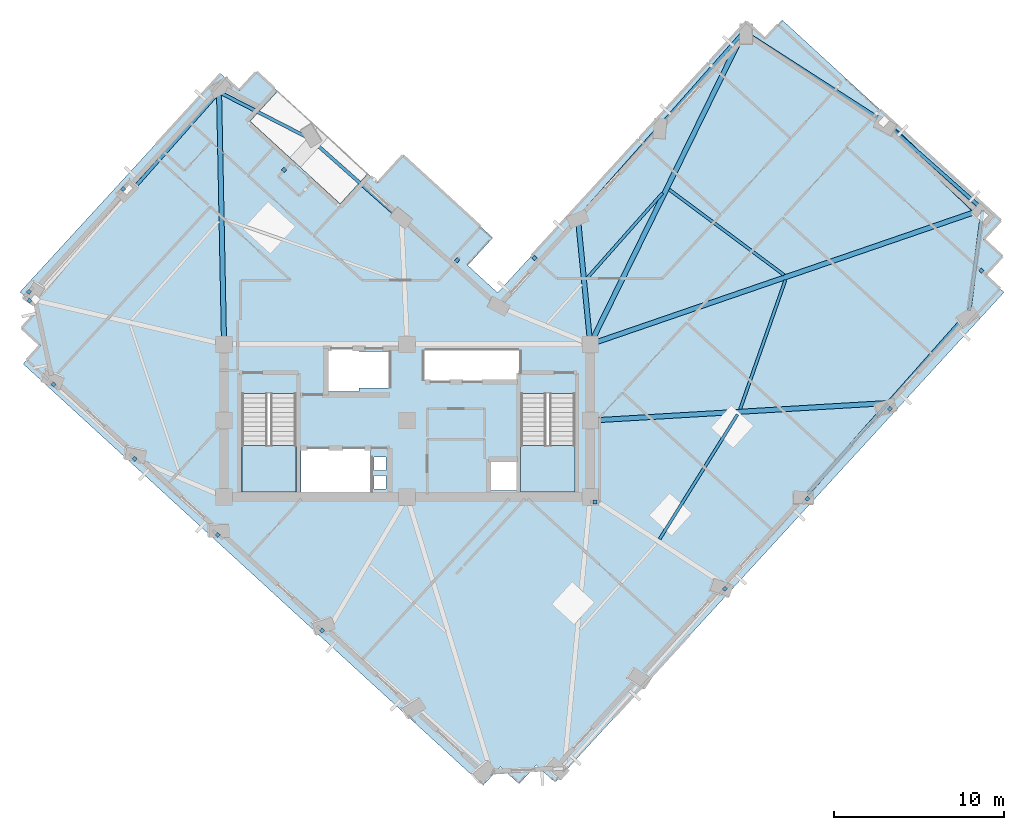
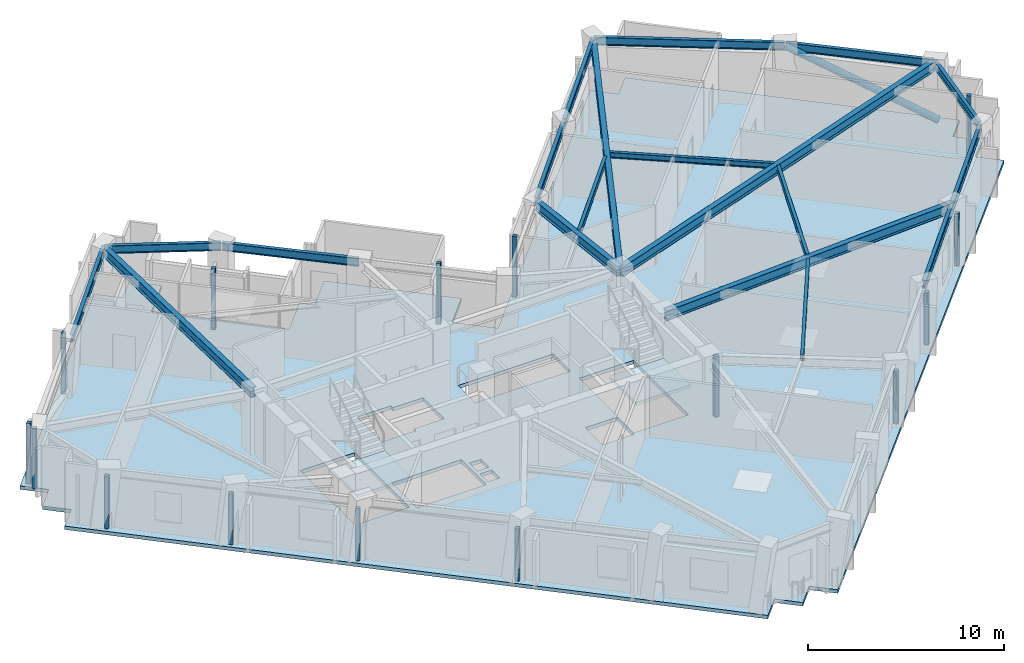
# One storey, part 2 of 12: 19 beams, 15 plates, 3 slabs, 1 member, 2 elements without a shape of their own.
"""IFC4 building model written with IfcOpenShell, lengths in metres."""

from ifc_helpers import new_model, si_unit, direction, frame, origin, origin_2d, place, context, subcontext, project, spatial, polyline, rectangle, hollow_circle, i_section, outline, extrude, material, layer, layer_set, material_profile, profile_set, type_object, element, aggregate, save


model = new_model("IFC4")

# Units and contexts
model_context = context("Model", 3, precision=1e-05, world=origin(), true_north=direction((0.0, 1.0)))
body_context = subcontext(model_context, "Body", "Model", "MODEL_VIEW")
ifc_project = project(units=[si_unit("LENGTHUNIT", "METRE"), si_unit("AREAUNIT", "SQUARE_METRE"), si_unit("VOLUMEUNIT", "CUBIC_METRE"), si_unit("PLANEANGLEUNIT", "RADIAN"), si_unit("MASSUNIT", "GRAM", prefix="KILO")], contexts=[model_context])

# Site, building, storey
site_placement = place(None, origin())
site = spatial("IfcSite", under=ifc_project, at=site_placement, CompositionType="ELEMENT")
building_placement = place(site_placement, origin())
building = spatial("IfcBuilding", under=site, at=building_placement, Name="Gaonmaruhae Medical Tower", CompositionType="ELEMENT")
storey_placement = place(building_placement, frame((0.0, 0.0, 227.199951171875)))
storey = spatial("IfcBuildingStorey", under=building, at=storey_placement, Name="L54", CompositionType="ELEMENT", Elevation=227.199951171875)

# Beams
ifc_material_1 = material(Name="Steel SM355", Category="steel")
ifc_material_profile_1 = material_profile(ifc_material_1, i_section(OverallWidth=0.175048828125, OverallDepth=0.35009765625, WebThickness=0.007080078125, FlangeThickness=0.010986328125, FilletRadius=0.012939453125, at=origin_2d()), Name="H-350x175x7x11")
ifc_profile_set_1 = profile_set([ifc_material_profile_1], Name="Steel SM355")
beam_type_1 = type_object("IfcBeamType", Name="FJ-02 Upper Zone Ward Floor Joist (H-350x175x7x11)", PredefinedType="JOIST", material=ifc_profile_set_1)
beam_1_placement = place(storey_placement, frame((39.692138671875, 5.3115234375, 3.60498046875), z_axis=(0.530118005418, 0.847923876496, 0.0), x_axis=(-0.847923876496, 0.530118005418, 0.0)))
element("IfcBeam", 1, at=beam_1_placement, inside=storey, type_object=beam_type_1, Name="L54 Secondary Floor Joist FJ02", PredefinedType="JOIST", context=body_context, shape_type="SweptSolid", body=[
    extrude(i_section(OverallWidth=0.175048828125, OverallDepth=0.35009765625, WebThickness=0.007080078125, FlangeThickness=0.010986328125, FilletRadius=0.012939453125, at=origin_2d()), origin(), (0.0, 0.0, 1.0), 8.662353515625),
])
beam_2_placement = place(storey_placement, frame((44.440673828125, 12.9765625, 3.60498046875), z_axis=(0.330765418883, 0.943713005988, 0.0), x_axis=(-0.943713005988, 0.330765418883, 0.0)))
element("IfcBeam", 2, at=beam_2_placement, inside=storey, type_object=beam_type_1, Name="L54 Secondary Floor Joist FJ03", PredefinedType="JOIST", context=body_context, shape_type="SweptSolid", body=[
    extrude(i_section(OverallWidth=0.175048828125, OverallDepth=0.35009765625, WebThickness=0.007080078125, FlangeThickness=0.010986328125, FilletRadius=0.012939453125, at=origin_2d()), origin(), (0.0, 0.0, 1.0), 8.070556640625),
])
beam_3_placement = place(storey_placement, frame((47.024658203125, 20.890869140625, 3.60498046875), z_axis=(-0.802293173668, 0.596930199844, 0.0), x_axis=(-0.596930199844, -0.802293173668, 0.0)))
element("IfcBeam", 3, at=beam_3_placement, inside=storey, type_object=beam_type_1, Name="L54 Secondary Floor Joist FJ04", PredefinedType="JOIST", context=body_context, shape_type="SweptSolid", body=[
    extrude(i_section(OverallWidth=0.175048828125, OverallDepth=0.35009765625, WebThickness=0.007080078125, FlangeThickness=0.010986328125, FilletRadius=0.012939453125, at=origin_2d()), origin(), (0.0, 0.0, 1.0), 8.435791015625),
])
beam_4_placement = place(storey_placement, frame((39.86376953125, 25.721435546875, 3.60498046875), z_axis=(-0.663287759279, -0.748364448908, 0.0), x_axis=(0.748364448908, -0.663287759279, 0.0)))
element("IfcBeam", 4, at=beam_4_placement, inside=storey, type_object=beam_type_1, Name="L54 Secondary Floor Joist FJ05", PredefinedType="JOIST", context=body_context, shape_type="SweptSolid", body=[
    extrude(i_section(OverallWidth=0.175048828125, OverallDepth=0.35009765625, WebThickness=0.007080078125, FlangeThickness=0.010986328125, FilletRadius=0.012939453125, at=origin_2d()), origin(), (0.0, 0.0, 1.0), 6.763671875),
])

# Member
ifc_material_2 = material(Name="Steel SM420", Category="steel")
ifc_material_profile_2 = material_profile(ifc_material_2, hollow_circle(Radius=0.203125, WallThickness=0.0126953125, at=origin_2d()), Name="CHS-406.4x12.7")
ifc_profile_set_2 = profile_set([ifc_material_profile_2], Name="Steel SM420")
member_type = type_object("IfcMemberType", Name="PB-02 Perimeter Solid-Bay Tube Brace Mid (CHS-406.4x12.7)", PredefinedType="BRACE", material=ifc_profile_set_2)
member_placement = place(storey_placement, frame((58.746337890625, 24.3408203125, 0.25), z_axis=(-0.668944039213, 0.64111453371, 0.376146284134), x_axis=(-0.691929645496, -0.721964933833, 0.0)))
element("IfcMember", 5, at=member_placement, inside=storey, type_object=member_type, Name="L54 Perimeter Tube Solid-Bay Brace E01-E02", PredefinedType="BRACE", context=body_context, shape_type="SweptSolid", body=[
    extrude(hollow_circle(Radius=0.203125, WallThickness=0.0126953125, at=origin_2d()), origin(), (0.0, 0.0, 1.0), 8.719970703125),
])

# Beams
ifc_material_profile_3 = material_profile(ifc_material_2, i_section(OverallWidth=0.300048828125, OverallDepth=0.60009765625, WebThickness=0.011962890625, FlangeThickness=0.02001953125, FilletRadius=0.012939453125, at=origin_2d()), Name="H-600x300x12x20")
ifc_profile_set_3 = profile_set([ifc_material_profile_3], Name="Steel SM420")
beam_type_2 = type_object("IfcBeamType", Name="PG-04 Zone 4 Radial Floor Girder (H-600x300x12x20)", PredefinedType="BEAM", material=ifc_profile_set_3)
beam_5_placement = place(storey_placement, frame((35.64990234375, 12.302978515625, 3.47998046875), z_axis=(0.998269655586, 0.058802166082, 0.0), x_axis=(-0.058802166082, 0.998269655586, 0.0)))
element("IfcBeam", 6, at=beam_5_placement, inside=storey, type_object=beam_type_2, Name="L54 Radial Primary Girder S05", PredefinedType="BEAM", context=body_context, shape_type="SweptSolid", body=[
    extrude(i_section(OverallWidth=0.300048828125, OverallDepth=0.60009765625, WebThickness=0.011962890625, FlangeThickness=0.02001953125, FilletRadius=0.012939453125, at=origin_2d()), origin(), (0.0, 0.0, 1.0), 17.500244140625),
])
beam_6_placement = place(storey_placement, frame((35.647216796875, 16.816162109375, 3.47998046875), z_axis=(0.945688811976, 0.325073331579, 0.0), x_axis=(-0.325073331579, 0.945688811976, 0.0)))
element("IfcBeam", 7, at=beam_6_placement, inside=storey, type_object=beam_type_2, Name="L54 Radial Primary Girder E01", PredefinedType="BEAM", context=body_context, shape_type="SweptSolid", body=[
    extrude(i_section(OverallWidth=0.300048828125, OverallDepth=0.60009765625, WebThickness=0.011962890625, FlangeThickness=0.02001953125, FilletRadius=0.012939453125, at=origin_2d()), origin(), (0.0, 0.0, 1.0), 24.380126953125),
])
beam_7_placement = place(storey_placement, frame((35.6220703125, 16.844970703125, 3.47998046875), z_axis=(0.440888522945, 0.897561869921, 0.0), x_axis=(-0.897561869921, 0.440888522945, 0.0)))
element("IfcBeam", 8, at=beam_7_placement, inside=storey, type_object=beam_type_2, Name="L54 Radial Primary Girder E03", PredefinedType="BEAM", context=body_context, shape_type="SweptSolid", body=[
    extrude(i_section(OverallWidth=0.300048828125, OverallDepth=0.60009765625, WebThickness=0.011962890625, FlangeThickness=0.02001953125, FilletRadius=0.012939453125, at=origin_2d()), origin(), (0.0, 0.0, 1.0), 20.447021484375),
])
beam_8_placement = place(storey_placement, frame((35.59521484375, 16.849853515625, 3.47998046875), z_axis=(-0.097402154864, 0.995245105604, 0.0), x_axis=(-0.995245105604, -0.097402154864, 0.0)))
element("IfcBeam", 9, at=beam_8_placement, inside=storey, type_object=beam_type_2, Name="L54 Radial Primary Girder EN02", PredefinedType="BEAM", context=body_context, shape_type="SweptSolid", body=[
    extrude(i_section(OverallWidth=0.300048828125, OverallDepth=0.60009765625, WebThickness=0.011962890625, FlangeThickness=0.02001953125, FilletRadius=0.012939453125, at=origin_2d()), origin(), (0.0, 0.0, 1.0), 7.339111328125),
])
beam_9_placement = place(storey_placement, frame((13.9990234375, 16.85009765625, 3.47998046875), z_axis=(-0.01983978999, 0.999803171996, 0.0), x_axis=(-0.999803171996, -0.01983978999, 0.0)))
element("IfcBeam", 10, at=beam_9_placement, inside=storey, type_object=beam_type_2, Name="L54 Radial Primary Girder N01", PredefinedType="BEAM", context=body_context, shape_type="SweptSolid", body=[
    extrude(i_section(OverallWidth=0.300048828125, OverallDepth=0.60009765625, WebThickness=0.011962890625, FlangeThickness=0.02001953125, FilletRadius=0.012939453125, at=origin_2d()), origin(), (0.0, 0.0, 1.0), 14.779052734375),
])
ifc_material_profile_4 = material_profile(ifc_material_1, i_section(OverallWidth=0.199951171875, OverallDepth=0.5, WebThickness=0.010009765625, FlangeThickness=0.01611328125, FilletRadius=0.012939453125, at=origin_2d()), Name="H-500x200x10x16")
ifc_profile_set_4 = profile_set([ifc_material_profile_4], Name="Steel SM355")
beam_type_3 = type_object("IfcBeamType", Name="SP-02 Upper Perimeter Spandrel Beam (H-500x200x10x16)", PredefinedType="SPANDREL", material=ifc_profile_set_4)
for number, where, z_axis, x_axis, name in (
    (11, (48.420654296875, 7.9765625, 3.530029296875), (0.663273473262, 0.748377110598, 0.0), (-0.748377110598, 0.663273473262, 0.0), "L54 Perimeter Spandrel Beam S04-S05"),
    (12, (53.1962890625, 13.364990234375, 3.530029296875), (0.663290493524, 0.748362025494, 0.0), (-0.748362025494, 0.663290493524, 0.0), "L54 Perimeter Spandrel Beam S05-S06"),
):
    element("IfcBeam", number, at=place(storey_placement, frame(where, z_axis=z_axis, x_axis=x_axis)), inside=storey, type_object=beam_type_3, Name=name, PredefinedType="SPANDREL", context=body_context, shape_type="SweptSolid", body=[
        extrude(i_section(OverallWidth=0.199951171875, OverallDepth=0.5, WebThickness=0.010009765625, FlangeThickness=0.01611328125, FilletRadius=0.012939453125, at=origin_2d()), origin(), (0.0, 0.0, 1.0), 7.1201171875),
    ])
beam_10_placement = place(storey_placement, frame((57.95068359375, 18.762939453125, 3.530029296875), z_axis=(0.132232926954, 0.991218670642, 0.0), x_axis=(-0.991218670642, 0.132232926954, 0.0)))
element("IfcBeam", 13, at=beam_10_placement, inside=storey, type_object=beam_type_3, Name="L54 Perimeter Spandrel Beam S06-E01", PredefinedType="SPANDREL", context=body_context, shape_type="SweptSolid", body=[
    extrude(i_section(OverallWidth=0.199951171875, OverallDepth=0.5, WebThickness=0.010009765625, FlangeThickness=0.01611328125, FilletRadius=0.012939453125, at=origin_2d()), origin(), (0.0, 0.0, 1.0), 6.0078125),
])
beam_11_placement = place(storey_placement, frame((58.720458984375, 24.784423828125, 3.530029296875), z_axis=(-0.748376907774, 0.66327370211, 0.0), x_axis=(-0.66327370211, -0.748376907774, 0.0)))
element("IfcBeam", 14, at=beam_11_placement, inside=storey, type_object=beam_type_3, Name="L54 Perimeter Spandrel Beam E01-E02", PredefinedType="SPANDREL", context=body_context, shape_type="SweptSolid", body=[
    extrude(i_section(OverallWidth=0.199951171875, OverallDepth=0.5, WebThickness=0.010009765625, FlangeThickness=0.01611328125, FilletRadius=0.012939453125, at=origin_2d()), origin(), (0.0, 0.0, 1.0), 7.7197265625),
])
beam_12_placement = place(storey_placement, frame((52.87939453125, 29.952880859375, 3.530029296875), z_axis=(-0.840938024448, 0.541131443401, 0.0), x_axis=(-0.541131443401, -0.840938024448, 0.0)))
element("IfcBeam", 15, at=beam_12_placement, inside=storey, type_object=beam_type_3, Name="L54 Perimeter Spandrel Beam E02-E03", PredefinedType="SPANDREL", context=body_context, shape_type="SweptSolid", body=[
    extrude(i_section(OverallWidth=0.199951171875, OverallDepth=0.5, WebThickness=0.010009765625, FlangeThickness=0.01611328125, FilletRadius=0.012939453125, at=origin_2d()), origin(), (0.0, 0.0, 1.0), 9.7353515625),
])
beam_13_placement = place(storey_placement, frame((44.63232421875, 35.212646484375, 3.530029296875), z_axis=(-0.663255515926, -0.748393025485, 0.0), x_axis=(0.748393025485, -0.663255515926, 0.0)))
element("IfcBeam", 16, at=beam_13_placement, inside=storey, type_object=beam_type_3, Name="L54 Perimeter Spandrel Beam E03-EN01", PredefinedType="SPANDREL", context=body_context, shape_type="SweptSolid", body=[
    extrude(i_section(OverallWidth=0.199951171875, OverallDepth=0.5, WebThickness=0.010009765625, FlangeThickness=0.01611328125, FilletRadius=0.012939453125, at=origin_2d()), origin(), (0.0, 0.0, 1.0), 7.47021484375),
])
beam_14_placement = place(storey_placement, frame((39.624755859375, 29.562255859375, 3.530029296875), z_axis=(-0.663290493524, -0.748362025494, 0.0), x_axis=(0.748362025494, -0.663290493524, 0.0)))
element("IfcBeam", 17, at=beam_14_placement, inside=storey, type_object=beam_type_3, Name="L54 Perimeter Spandrel Beam EN01-EN02", PredefinedType="SPANDREL", context=body_context, shape_type="SweptSolid", body=[
    extrude(i_section(OverallWidth=0.199951171875, OverallDepth=0.5, WebThickness=0.010009765625, FlangeThickness=0.01611328125, FilletRadius=0.012939453125, at=origin_2d()), origin(), (0.0, 0.0, 1.0), 7.1201171875),
])
beam_15_placement = place(storey_placement, frame((24.43603515625, 24.169677734375, 3.510009765625), z_axis=(-0.748379046162, 0.663271289343, 0.0), x_axis=(-0.663271289343, -0.748379046162, 0.0)))
element("IfcBeam", 18, at=beam_15_placement, inside=storey, type_object=beam_type_3, Name="L54 Perimeter Spandrel Beam NE01-NE02", PredefinedType="SPANDREL", context=body_context, shape_type="SweptSolid", body=[
    extrude(i_section(OverallWidth=0.199951171875, OverallDepth=0.5, WebThickness=0.010009765625, FlangeThickness=0.01611328125, FilletRadius=0.012939453125, at=origin_2d()), origin(), (0.0, 0.0, 1.0), 7.119873046875),
])
beam_16_placement = place(storey_placement, frame((19.0419921875, 28.93701171875, 3.510009765625), z_axis=(-0.889674530199, 0.456595258752, 0.0), x_axis=(-0.456595258752, -0.889674530199, 0.0)))
element("IfcBeam", 19, at=beam_16_placement, inside=storey, type_object=beam_type_3, Name="L54 Perimeter Spandrel Beam NE02-N01", PredefinedType="SPANDREL", context=body_context, shape_type="SweptSolid", body=[
    extrude(i_section(OverallWidth=0.199951171875, OverallDepth=0.5, WebThickness=0.010009765625, FlangeThickness=0.01611328125, FilletRadius=0.012939453125, at=origin_2d()), origin(), (0.0, 0.0, 1.0), 5.959228515625),
])
beam_17_placement = place(storey_placement, frame((13.67822265625, 31.646240234375, 3.530029296875), z_axis=(-0.663280725711, -0.748370682817, 0.0), x_axis=(0.748370682817, -0.663280725711, 0.0)))
element("IfcBeam", 20, at=beam_17_placement, inside=storey, type_object=beam_type_3, Name="L54 Perimeter Spandrel Beam N01-N02", PredefinedType="SPANDREL", context=body_context, shape_type="SweptSolid", body=[
    extrude(i_section(OverallWidth=0.199951171875, OverallDepth=0.5, WebThickness=0.010009765625, FlangeThickness=0.01611328125, FilletRadius=0.012939453125, at=origin_2d()), origin(), (0.0, 0.0, 1.0), 8.119873046875),
])

# Slab
ifc_material_3 = material(Name="Concrete C40/50", Category="concrete")
ifc_layer_1 = layer(ifc_material_3, 0.219970703125)
ifc_layer_set_1 = layer_set([ifc_layer_1], Name="Concrete C40/50")
slab_type_1 = type_object("IfcSlabType", Name="FS-220 Clinical Ward Composite Floor Slab", PredefinedType="FLOOR", material=ifc_layer_set_1)
slab_1_placement = place(storey_placement, frame((0.0, 0.0, -0.219970703125)))
element("IfcSlab", 21, at=slab_1_placement, inside=storey, type_object=slab_type_1, Name="L54 Structural Slab 1", PredefinedType="FLOOR", context=body_context, shape_type="SweptSolid", body=[
    extrude(outline(polyline([(44.796630859375, 35.834716796875), (45.902587890625, 34.8212890625), (46.916015625, 35.92724609375), (59.818115234375, 24.1044921875), (58.804931640625, 22.99853515625), (59.910888671875, 21.985107421875), (58.8974609375, 20.87939453125), (60.00341796875, 19.865966796875), (33.520263671875, -9.035400390625), (32.414306640625, -8.02197265625), (31.40087890625, -9.1279296875), (30.294921875, -8.114501953125), (29.281494140625, -9.220458984375), (2.14990234375, 15.641357421875), (3.1630859375, 16.747314453125), (2.05712890625, 17.760498046875), (3.070556640625, 18.866455078125), (1.964599609375, 19.8798828125), (13.78759765625, 32.7822265625), (14.893310546875, 31.768798828125), (15.90673828125, 32.874755859375), (17.16015625, 31.726318359375), (15.538818359375, 29.956787109375), (20.84716796875, 25.092529296875), (22.468505859375, 26.862060546875), (23.058349609375, 26.321533203125), (24.544677734375, 27.943603515625), (29.85302734375, 23.079345703125), (28.36669921875, 21.457275390625), (30.13623046875, 19.8359375), (44.796630859375, 35.834716796875)]), holes=[polyline([(23.550048828125, 8.25), (22.85009765625, 8.25), (22.85009765625, 9.050048828125), (23.550048828125, 9.050048828125), (23.550048828125, 8.25)]), polyline([(31.425048828125, 9.925048828125), (31.425048828125, 8.175048828125), (29.574951171875, 8.175048828125), (29.574951171875, 9.925048828125), (31.425048828125, 9.925048828125)]), polyline([(22.64990234375, 10.625), (22.64990234375, 8.074951171875), (18.550048828125, 8.074951171875), (18.550048828125, 10.625), (22.64990234375, 10.625)]), polyline([(23.550048828125, 9.35009765625), (22.85009765625, 9.35009765625), (22.85009765625, 10.14990234375), (23.550048828125, 10.14990234375), (23.550048828125, 9.35009765625)]), polyline([(15.050048828125, 13.889892578125), (18.25, 13.889892578125), (18.25, 8.300048828125), (15.050048828125, 8.300048828125), (15.050048828125, 13.889892578125)]), polyline([(31.5, 13.889892578125), (34.699951171875, 13.889892578125), (34.699951171875, 8.300048828125), (31.5, 8.300048828125), (31.5, 13.889892578125)]), polyline([(21.949951171875, 14.22509765625), (21.949951171875, 14.02490234375), (19.949951171875, 14.02490234375), (19.949951171875, 16.574951171875), (21.949951171875, 16.574951171875), (21.949951171875, 16.375), (23.72509765625, 16.375), (23.72509765625, 14.22509765625), (21.949951171875, 14.22509765625)]), polyline([(31.425048828125, 16.425048828125), (31.425048828125, 14.675048828125), (25.824951171875, 14.675048828125), (25.824951171875, 16.425048828125), (31.425048828125, 16.425048828125)])]), origin(), (0.0, 0.0, 1.0), 0.219970703125),
])

# Plates
ifc_material_4 = material(Name="Anodised aluminium 6063-T6", Category="aluminium")
ifc_layer_2 = layer(ifc_material_4, 0.011962890625)
ifc_layer_set_2 = layer_set([ifc_layer_2], Name="Anodised aluminium 6063-T6")
plate_type = type_object("IfcPlateType", Name="PP-01 Interior Partition Corner Stiffener Plate", PredefinedType="SHEET", material=ifc_layer_set_2)
plate_1_placement = place(storey_placement, frame((43.54296875, 2.37646484375, 0.0), z_axis=(0.0, 0.0, 1.0), x_axis=(-0.676246203659, -0.736675689864, 0.0)))
element("IfcPlate", 22, at=plate_1_placement, inside=storey, type_object=plate_type, Name="L54 Partition Corner Stiffener Plate PLT-L54-JGP-PW013", PredefinedType="SHEET", context=body_context, shape_type="SweptSolid", body=[
    extrude(rectangle(XDim=0.219970703125, YDim=0.219970703125, at=origin_2d()), origin(), (0.0, 0.0, 1.0), 3.264892578125),
])
plate_2_placement = place(storey_placement, frame((35.875, 7.5, 0.0), z_axis=(0.0, 0.0, 1.0), x_axis=(1.0, 0.0, 0.0)))
element("IfcPlate", 23, at=plate_2_placement, inside=storey, type_object=plate_type, Name="L54 Partition Corner Stiffener Plate PLT-L54-JGP-PW014", PredefinedType="SHEET", context=body_context, shape_type="SweptSolid", body=[
    extrude(rectangle(XDim=0.219970703125, YDim=0.219970703125, at=origin_2d()), origin(), (0.0, 0.0, 1.0), 3.780029296875),
])
for number, where, z_axis, x_axis, name in (
    (24, (48.406982421875, 7.6845703125, 0.0), (0.0, 0.0, 1.0), (-0.675551602939, -0.73731270962, 0.0), "L54 Partition Corner Stiffener Plate PLT-L54-JGP-PW018"),
    (25, (53.2705078125, 12.992919921875, 0.0), (0.0, 0.0, 1.0), (-0.675500127155, -0.737359870222, 0.0), "L54 Partition Corner Stiffener Plate PLT-L54-JGP-PW021"),
):
    element("IfcPlate", number, at=place(storey_placement, frame(where, z_axis=z_axis, x_axis=x_axis)), inside=storey, type_object=plate_type, Name=name, PredefinedType="SHEET", context=body_context, shape_type="SweptSolid", body=[
        extrude(rectangle(XDim=0.219970703125, YDim=0.219970703125, at=origin_2d()), origin(), (0.0, 0.0, 1.0), 3.264892578125),
    ])
plate_3_placement = place(storey_placement, frame((58.67041015625, 21.1416015625, 0.0), z_axis=(0.0, 0.0, 1.0), x_axis=(0.736970687799, -0.675924703888, 0.0)))
element("IfcPlate", 26, at=plate_3_placement, inside=storey, type_object=plate_type, Name="L54 Partition Corner Stiffener Plate PLT-L54-JGP-PW025", PredefinedType="SHEET", context=body_context, shape_type="SweptSolid", body=[
    extrude(rectangle(XDim=0.219970703125, YDim=0.219970703125, at=origin_2d()), origin(), (0.0, 0.0, 1.0), 3.780029296875),
])
for number, where, z_axis, x_axis, name in (
    (27, (19.785400390625, -0.0849609375, 0.0), (0.0, 0.0, 1.0), (-0.737524904027, 0.675319935986, 0.0), "L54 Partition Corner Stiffener Plate PLT-L54-JGP-PW027"),
    (28, (13.6298828125, 5.555419921875, 0.0), (0.0, 0.0, 1.0), (-0.737253753814, 0.675615943038, 0.0), "L54 Partition Corner Stiffener Plate PLT-L54-JGP-PW030"),
):
    element("IfcPlate", number, at=place(storey_placement, frame(where, z_axis=z_axis, x_axis=x_axis)), inside=storey, type_object=plate_type, Name=name, PredefinedType="SHEET", context=body_context, shape_type="SweptSolid", body=[
        extrude(rectangle(XDim=0.219970703125, YDim=0.219970703125, at=origin_2d()), origin(), (0.0, 0.0, 1.0), 3.264892578125),
    ])
plate_4_placement = place(storey_placement, frame((8.72705078125, 10.047607421875, 0.0), z_axis=(0.0, 0.0, 1.0), x_axis=(-0.737678110275, 0.675152579512, 0.0)))
element("IfcPlate", 29, at=plate_4_placement, inside=storey, type_object=plate_type, Name="L54 Partition Corner Stiffener Plate PLT-L54-JGP-PW035", PredefinedType="SHEET", context=body_context, shape_type="SweptSolid", body=[
    extrude(rectangle(XDim=0.219970703125, YDim=0.219970703125, at=origin_2d()), origin(), (0.0, 0.0, 1.0), 3.1650390625),
])
plate_5_placement = place(storey_placement, frame((3.944091796875, 14.430419921875, 0.0), z_axis=(0.0, 0.0, 1.0), x_axis=(-0.737465968437, 0.675384294604, 0.0)))
element("IfcPlate", 30, at=plate_5_placement, inside=storey, type_object=plate_type, Name="L54 Partition Corner Stiffener Plate PLT-L54-JGP-PW036", PredefinedType="SHEET", context=body_context, shape_type="SweptSolid", body=[
    extrude(rectangle(XDim=0.219970703125, YDim=0.219970703125, at=origin_2d()), origin(), (0.0, 0.0, 1.0), 3.264892578125),
])
for number, where, z_axis, x_axis, name in (
    (31, (2.521484375, 19.3701171875, 0.0), (0.0, 0.0, 1.0), (-0.737760590217, 0.675062450091, 0.0), "L54 Partition Corner Stiffener Plate PLT-L54-JGP-PW041"),
    (32, (2.491943359375, 19.892578125, 0.0), (0.0, 0.0, 1.0), (0.675667411413, 0.737206585127, 0.0), "L54 Partition Corner Stiffener Plate PLT-L54-JGP-PW042"),
    (33, (8.048583984375, 25.95654296875, 0.0), (0.0, 0.0, 1.0), (0.675667411413, 0.737206585127, 0.0), "L54 Partition Corner Stiffener Plate PLT-L54-JGP-PW043"),
    (34, (32.31005859375, 21.885986328125, 0.0), (0.0, 0.0, 1.0), (-0.736392359897, 0.676554722314, 0.0), "L54 Partition Corner Stiffener Plate PLT-L54-JGP-PW054"),
    (35, (27.75, 21.760986328125, 0.0), (0.0, 0.0, 1.0), (-0.675538734301, -0.737324500107, 0.0), "L54 Partition Corner Stiffener Plate PLT-L54-JGP-PW066"),
    (36, (17.54296875, 27.0859375, 0.0), (0.0, 0.0, 1.0), (-0.675126829277, -0.737701677096, 0.0), "L54 Partition Corner Stiffener Plate PLT-L54-JGP-PW073"),
):
    element("IfcPlate", number, at=place(storey_placement, frame(where, z_axis=z_axis, x_axis=x_axis)), inside=storey, type_object=plate_type, Name=name, PredefinedType="SHEET", context=body_context, shape_type="SweptSolid", body=[
        extrude(rectangle(XDim=0.219970703125, YDim=0.219970703125, at=origin_2d()), origin(), (0.0, 0.0, 1.0), 3.780029296875),
    ])

# Stair, slab
stair_type = type_object("IfcStairType", Name="ST-T1 Primary Core Escape Dogleg Stair", PredefinedType="TWO_QUARTER_TURN_STAIR", material=ifc_material_3)
stair_1_placement = place(storey_placement, origin())
stair_1 = element("IfcStair", 37, at=stair_1_placement, inside=storey, type_object=stair_type, Name="L54 Protected Escape Stair ST-01", PredefinedType="TWO_QUARTER_TURN_STAIR")
ifc_layer_3 = layer(ifc_material_3, 0.199951171875)
ifc_layer_set_3 = layer_set([ifc_layer_3], Name="Concrete C40/50")
slab_type_2 = type_object("IfcSlabType", Name="SL-200 Stair & Ramp Intermediate Concrete Landing", PredefinedType="LANDING", material=ifc_layer_set_3)
slab_2_placement = place(storey_placement, frame((0.0, 0.0, 1.800048828125)))
slab_2 = element("IfcSlab", 38, at=slab_2_placement, type_object=slab_type_2, Name="ST-01 landing 1", PredefinedType="LANDING", context=body_context, shape_type="SweptSolid", body=[
    extrude(outline(polyline([(15.050048828125, 10.820068359375), (15.050048828125, 8.0791015625), (18.25, 8.0791015625), (18.25, 10.820068359375), (15.050048828125, 10.820068359375)])), origin(), (0.0, 0.0, 1.0), 0.199951171875),
])
aggregate(stair_1, [slab_2])

stair_2_placement = place(storey_placement, origin())
stair_2 = element("IfcStair", 39, at=stair_2_placement, inside=storey, type_object=stair_type, Name="L54 Protected Escape Stair ST-02", PredefinedType="TWO_QUARTER_TURN_STAIR")
slab_3_placement = place(storey_placement, frame((0.0, 0.0, 1.800048828125)))
slab_3 = element("IfcSlab", 40, at=slab_3_placement, type_object=slab_type_2, Name="ST-02 landing 1", PredefinedType="LANDING", context=body_context, shape_type="SweptSolid", body=[
    extrude(outline(polyline([(31.5, 10.820068359375), (31.5, 8.0791015625), (34.699951171875, 8.0791015625), (34.699951171875, 10.820068359375), (31.5, 10.820068359375)])), origin(), (0.0, 0.0, 1.0), 0.199951171875),
])
aggregate(stair_2, [slab_3])

save(model, "model.ifc")
